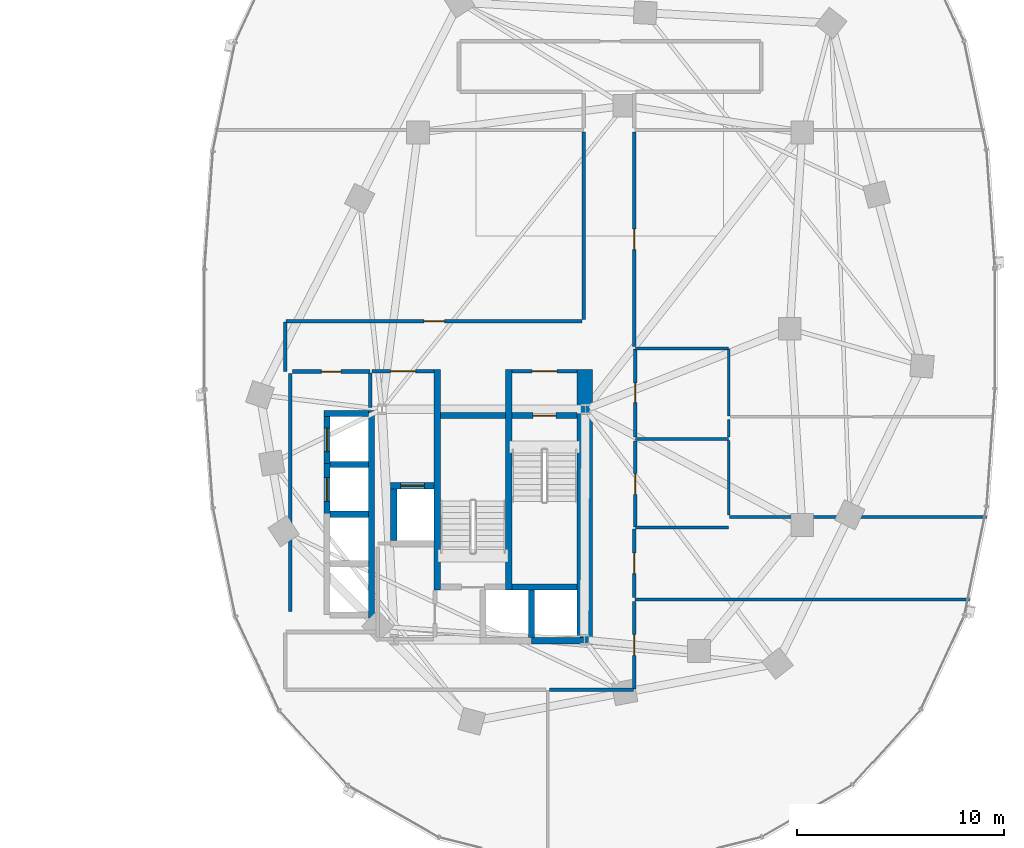
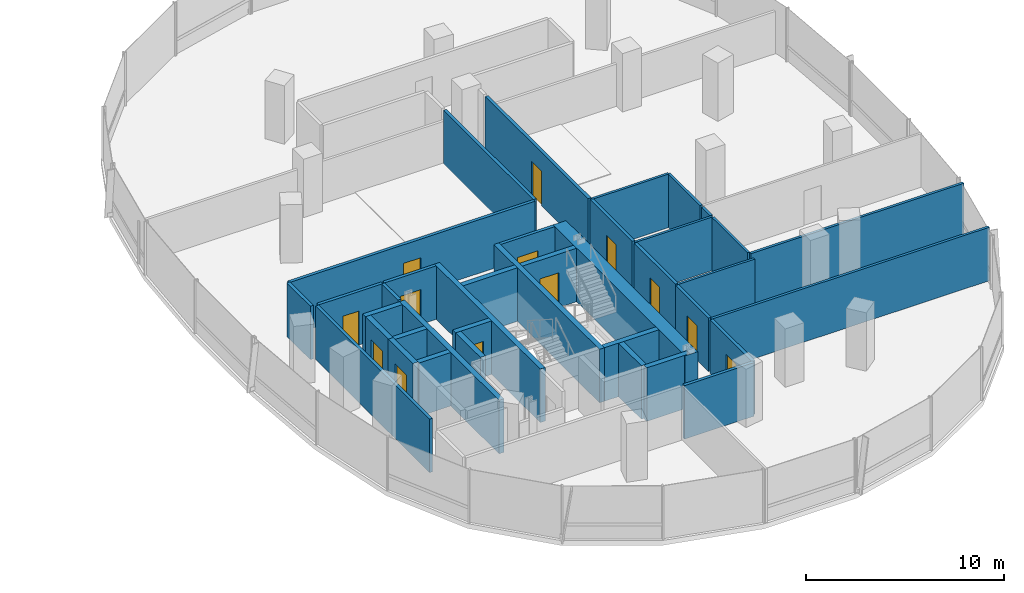
# One storey, part 13 of 21: 38 walls, 13 doors, 13 openings.
"""IFC4 building model written with IfcOpenShell, lengths in metres."""

from ifc_helpers import new_model, si_unit, direction, frame, frame_2d, origin, place, context, subcontext, project, spatial, rectangle, extrude, material, layer, layer_set, type_object, element, fill, save


model = new_model("IFC4")

# Units and contexts
model_context = context("Model", 3, precision=1e-05, world=origin(), true_north=direction((0.0, 1.0)))
body_context = subcontext(model_context, "Body", "Model", "MODEL_VIEW")
ifc_project = project(units=[si_unit("LENGTHUNIT", "METRE"), si_unit("AREAUNIT", "SQUARE_METRE"), si_unit("VOLUMEUNIT", "CUBIC_METRE"), si_unit("PLANEANGLEUNIT", "RADIAN"), si_unit("MASSUNIT", "GRAM", prefix="KILO"), si_unit("THERMODYNAMICTEMPERATUREUNIT", "KELVIN"), si_unit("POWERUNIT", "WATT")], contexts=[model_context])

# Site, building, storey
site_placement = place(None, origin())
site = spatial("IfcSite", under=ifc_project, at=site_placement, CompositionType="ELEMENT")
building_placement = place(site_placement, origin())
building = spatial("IfcBuilding", under=site, at=building_placement, Name="Cundina Bronze Exchange", CompositionType="ELEMENT")
storey_placement = place(building_placement, frame((0.0, 0.0, 92.60009765625)))
storey = spatial("IfcBuildingStorey", under=building, at=storey_placement, Name="L23", CompositionType="ELEMENT", Elevation=92.60009765625)

# Wall
ifc_material_1 = material(Name="Gypsum Fireboard Partition EI120")
ifc_layer_1 = layer(ifc_material_1, 0.179931640625, Name="Gypsum Fireboard Partition EI120")
ifc_layer_set_1 = layer_set([ifc_layer_1], Name="Gypsum Fireboard Partition EI120")
wall_type_1 = type_object("IfcWallType", Name="WL-COR-180", PredefinedType="PARTITIONING", material=ifc_layer_set_1)
wall_1_placement = place(storey_placement, frame((20.889892578125, -3.800048828125, 0.0), z_axis=(0.0, 0.0, 1.0), x_axis=(0.0, 1.0, 0.0)))
element("IfcWall", 1, at=wall_1_placement, inside=storey, type_object=wall_type_1, Name="L23 E Firefighting Lobby Side Wall", PredefinedType="PARTITIONING", context=body_context, shape_type="SweptSolid", body=[
    extrude(rectangle(XDim=1.650146484375, YDim=0.179931640625, at=frame_2d((0.8251953125, 0.0))), origin(), (0.0, 0.0, 1.0), 3.2998046875),
])

# Wall, opening, door
wall_2_placement = place(storey_placement, frame((20.97998046875, -2.06005859375, 0.0), z_axis=(0.0, 0.0, 1.0), x_axis=(1.0, 0.0, 0.0)))
wall_2 = element("IfcWall", 2, at=wall_2_placement, inside=storey, type_object=wall_type_1, Name="L23 E Firefighting Lobby Exit Wall", PredefinedType="PARTITIONING", context=body_context, shape_type="SweptSolid", body=[
    extrude(rectangle(XDim=3.0, YDim=0.179931640625, at=frame_2d((1.5, 0.0))), origin(), (0.0, 0.0, 1.0), 3.2998046875),
])
opening_1_placement = place(wall_2_placement, frame((0.89990234375, 0.0, 0.0)))
opening_1 = element("IfcOpeningElement", 3, at=opening_1_placement, cuts=wall_2, Name="Opening DF-01", PredefinedType="OPENING", context=body_context, shape_type="SweptSolid", body=[
    extrude(rectangle(XDim=1.199951171875, YDim=2.14990234375, at=frame_2d((0.60009765625, 1.074951171875))), frame((0.0, 0.099853515625, 0.0), z_axis=(0.0, -1.0, 0.0), x_axis=(1.0, 0.0, 0.0)), (0.0, 0.0, 1.0), 0.199951171875),
])
ifc_material_2 = material(Name="Steel ASTM A36 Painted", Category="steel")
door_type_1 = type_object("IfcDoorType", Name="DR-FFL-1200", OperationType="NOTDEFINED", PredefinedType="DOOR", material=ifc_material_2)
door_1_placement = place(opening_1_placement, origin())
door_1 = element("IfcDoor", 4, at=door_1_placement, inside=storey, type_object=door_type_1, Name="L23 E Firefighting Lobby Door", OperationType="SINGLE_SWING_LEFT", OverallHeight=2.14990234375, OverallWidth=1.199951171875, PredefinedType="DOOR", context=body_context, shape_type="SweptSolid", body=[
    extrude(rectangle(XDim=1.199951171875, YDim=2.14990234375, at=frame_2d((0.60009765625, 1.074951171875))), frame((0.0, 0.02490234375, 0.0), z_axis=(0.0, -1.0, 0.0), x_axis=(1.0, 0.0, 0.0)), (0.0, 0.0, 1.0), 0.050048828125),
])
fill(opening_1, door_1)

wall_3_placement = place(storey_placement, frame((27.739990234375, -2.06005859375, 0.0), z_axis=(0.0, 0.0, 1.0), x_axis=(1.0, 0.0, 0.0)))
wall_3 = element("IfcWall", 5, at=wall_3_placement, inside=storey, type_object=wall_type_1, Name="L23 E Stair Vestibule Exit Wall", PredefinedType="PARTITIONING", context=body_context, shape_type="SweptSolid", body=[
    extrude(rectangle(XDim=3.159912109375, YDim=0.179931640625, at=frame_2d((1.580078125, 0.0))), origin(), (0.0, 0.0, 1.0), 3.2998046875),
])
opening_2_placement = place(wall_3_placement, frame((0.97998046875, 0.0, 0.0)))
opening_2 = element("IfcOpeningElement", 6, at=opening_2_placement, cuts=wall_3, Name="Opening DF-01", PredefinedType="OPENING", context=body_context, shape_type="SweptSolid", body=[
    extrude(rectangle(XDim=1.199951171875, YDim=2.14990234375, at=frame_2d((0.60009765625, 1.074951171875))), frame((0.0, 0.099853515625, 0.0), z_axis=(0.0, -1.0, 0.0), x_axis=(1.0, 0.0, 0.0)), (0.0, 0.0, 1.0), 0.199951171875),
])
door_2_placement = place(opening_2_placement, origin())
door_2 = element("IfcDoor", 7, at=door_2_placement, inside=storey, type_object=door_type_1, Name="L23 E Stair Vestibule Door", OperationType="SINGLE_SWING_RIGHT", OverallHeight=2.14990234375, OverallWidth=1.199951171875, PredefinedType="DOOR", context=body_context, shape_type="SweptSolid", body=[
    extrude(rectangle(XDim=1.199951171875, YDim=2.14990234375, at=frame_2d((0.60009765625, 1.074951171875))), frame((0.0, 0.02490234375, 0.0), z_axis=(0.0, -1.0, 0.0), x_axis=(1.0, 0.0, 0.0)), (0.0, 0.0, 1.0), 0.050048828125),
])
fill(opening_2, door_2)

# Wall
wall_4_placement = place(storey_placement, frame((17.02001953125, -13.679931640625, 0.0), z_axis=(0.0, 0.0, 1.0), x_axis=(0.0, 1.0, 0.0)))
element("IfcWall", 8, at=wall_4_placement, inside=storey, type_object=wall_type_1, Name="L23 Interior Partition 038", PredefinedType="PARTITIONING", context=body_context, shape_type="SweptSolid", body=[
    extrude(rectangle(XDim=11.510009765625, YDim=0.179931640625, at=frame_2d((5.7548828125, 0.0))), origin(), (0.0, 0.0, 1.0), 3.2998046875),
])

# Wall, opening, door
wall_5_placement = place(storey_placement, frame((17.1201171875, -2.070068359375, 0.0), z_axis=(0.0, 0.0, 1.0), x_axis=(1.0, 0.0, 0.0)))
wall_5 = element("IfcWall", 9, at=wall_5_placement, inside=storey, type_object=wall_type_1, Name="L23 Interior Partition 039", PredefinedType="PARTITIONING", context=body_context, shape_type="SweptSolid", body=[
    extrude(rectangle(XDim=3.75, YDim=0.179931640625, at=frame_2d((1.875, 0.0))), origin(), (0.0, 0.0, 1.0), 3.2998046875),
])
opening_3_placement = place(wall_5_placement, frame((1.39990234375, 0.0, 0.0)))
opening_3 = element("IfcOpeningElement", 10, at=opening_3_placement, cuts=wall_5, Name="Opening DW-01", PredefinedType="OPENING", context=body_context, shape_type="SweptSolid", body=[
    extrude(rectangle(XDim=0.949951171875, YDim=2.10009765625, at=frame_2d((0.47509765625, 1.050048828125))), frame((0.0, 0.099853515625, 0.0), z_axis=(0.0, -1.0, 0.0), x_axis=(1.0, 0.0, 0.0)), (0.0, 0.0, 1.0), 0.199951171875),
])
ifc_material_3 = material(Name="Solid Andean Oak Timber Grade A", Category="wood")
door_type_2 = type_object("IfcDoorType", Name="DR-WC-950", OperationType="NOTDEFINED", PredefinedType="DOOR", material=ifc_material_3)
door_3_placement = place(opening_3_placement, origin())
door_3 = element("IfcDoor", 11, at=door_3_placement, inside=storey, type_object=door_type_2, Name="L23 Interior Door 039", OperationType="SINGLE_SWING_LEFT", OverallHeight=2.10009765625, OverallWidth=0.949951171875, PredefinedType="DOOR", context=body_context, shape_type="SweptSolid", body=[
    extrude(rectangle(XDim=0.949951171875, YDim=2.10009765625, at=frame_2d((0.47509765625, 1.050048828125))), frame((0.0, 0.02490234375, 0.0), z_axis=(0.0, -1.0, 0.0), x_axis=(1.0, 0.0, 0.0)), (0.0, 0.0, 1.0), 0.050048828125),
])
fill(opening_3, door_3)

wall_6_placement = place(storey_placement, frame((33.719970703125, -5.22998046875, 0.0), z_axis=(0.0, 0.0, 1.0), x_axis=(0.0, 1.0, 0.0)))
wall_6 = element("IfcWall", 12, at=wall_6_placement, inside=storey, type_object=wall_type_1, Name="L23 Interior Partition 050", PredefinedType="PARTITIONING", context=body_context, shape_type="SweptSolid", body=[
    extrude(rectangle(XDim=4.260009765625, YDim=0.179931640625, at=frame_2d((2.1298828125, 0.0))), origin(), (0.0, 0.0, 1.0), 3.2998046875),
])
opening_4_placement = place(wall_6_placement, frame((1.655029296875, 0.0, 0.0)))
opening_4 = element("IfcOpeningElement", 13, at=opening_4_placement, cuts=wall_6, Name="Opening DW-01", PredefinedType="OPENING", context=body_context, shape_type="SweptSolid", body=[
    extrude(rectangle(XDim=0.949951171875, YDim=2.10009765625, at=frame_2d((0.47509765625, 1.050048828125))), frame((0.0, 0.099853515625, 0.0), z_axis=(0.0, -1.0, 0.0), x_axis=(1.0, 0.0, 0.0)), (0.0, 0.0, 1.0), 0.199951171875),
])
door_4_placement = place(opening_4_placement, origin())
door_4 = element("IfcDoor", 14, at=door_4_placement, inside=storey, type_object=door_type_2, Name="L23 Interior Door 050", OperationType="SINGLE_SWING_RIGHT", OverallHeight=2.10009765625, OverallWidth=0.949951171875, PredefinedType="DOOR", context=body_context, shape_type="SweptSolid", body=[
    extrude(rectangle(XDim=0.949951171875, YDim=2.10009765625, at=frame_2d((0.47509765625, 1.050048828125))), frame((0.0, 0.02490234375, 0.0), z_axis=(0.0, -1.0, 0.0), x_axis=(1.0, 0.0, 0.0)), (0.0, 0.0, 1.0), 0.050048828125),
])
fill(opening_4, door_4)

wall_7_placement = place(storey_placement, frame((33.719970703125, -9.590087890625, 0.0), z_axis=(0.0, 0.0, 1.0), x_axis=(0.0, 1.0, 0.0)))
wall_7 = element("IfcWall", 15, at=wall_7_placement, inside=storey, type_object=wall_type_1, Name="L23 Interior Partition 051", PredefinedType="PARTITIONING", context=body_context, shape_type="SweptSolid", body=[
    extrude(rectangle(XDim=4.16015625, YDim=0.179931640625, at=frame_2d((2.080078125, 0.0))), origin(), (0.0, 0.0, 1.0), 3.2998046875),
])
opening_5_placement = place(wall_7_placement, frame((1.580078125, 0.0, 0.0)))
opening_5 = element("IfcOpeningElement", 16, at=opening_5_placement, cuts=wall_7, Name="Opening DO-01", PredefinedType="OPENING", context=body_context, shape_type="SweptSolid", body=[
    extrude(rectangle(XDim=1.0, YDim=2.14990234375, at=frame_2d((0.5, 1.074951171875))), frame((0.0, 0.099853515625, 0.0), z_axis=(0.0, -1.0, 0.0), x_axis=(1.0, 0.0, 0.0)), (0.0, 0.0, 1.0), 0.199951171875),
])
door_type_3 = type_object("IfcDoorType", Name="DR-OFF-1000", OperationType="NOTDEFINED", PredefinedType="DOOR", material=ifc_material_3)
door_5_placement = place(opening_5_placement, origin())
door_5 = element("IfcDoor", 17, at=door_5_placement, inside=storey, type_object=door_type_3, Name="L23 Interior Door 051", OperationType="SINGLE_SWING_LEFT", OverallHeight=2.14990234375, OverallWidth=1.0, PredefinedType="DOOR", context=body_context, shape_type="SweptSolid", body=[
    extrude(rectangle(XDim=1.0, YDim=2.14990234375, at=frame_2d((0.5, 1.074951171875))), frame((0.0, 0.02490234375, 0.0), z_axis=(0.0, -1.0, 0.0), x_axis=(1.0, 0.0, 0.0)), (0.0, 0.0, 1.0), 0.050048828125),
])
fill(opening_5, door_5)

wall_8_placement = place(storey_placement, frame((33.669921875, -17.428466796875, 0.0), z_axis=(0.0, 0.0, 1.0), x_axis=(0.0, 1.0, 0.0)))
wall_8 = element("IfcWall", 18, at=wall_8_placement, inside=storey, type_object=wall_type_1, Name="L23 Interior Partition 057", PredefinedType="PARTITIONING", context=body_context, shape_type="SweptSolid", body=[
    extrude(rectangle(XDim=4.238525390625, YDim=0.179931640625, at=frame_2d((2.119140625, 0.0))), origin(), (0.0, 0.0, 1.0), 3.2998046875),
])
opening_6_placement = place(wall_8_placement, frame((1.619384765625, 0.0, 0.0)))
opening_6 = element("IfcOpeningElement", 19, at=opening_6_placement, cuts=wall_8, Name="Opening DO-01", PredefinedType="OPENING", context=body_context, shape_type="SweptSolid", body=[
    extrude(rectangle(XDim=1.0, YDim=2.14990234375, at=frame_2d((0.5, 1.074951171875))), frame((0.0, 0.099853515625, 0.0), z_axis=(0.0, -1.0, 0.0), x_axis=(1.0, 0.0, 0.0)), (0.0, 0.0, 1.0), 0.199951171875),
])
door_6_placement = place(opening_6_placement, origin())
door_6 = element("IfcDoor", 20, at=door_6_placement, inside=storey, type_object=door_type_3, Name="L23 Interior Door 057", OperationType="SINGLE_SWING_LEFT", OverallHeight=2.14990234375, OverallWidth=1.0, PredefinedType="DOOR", context=body_context, shape_type="SweptSolid", body=[
    extrude(rectangle(XDim=1.0, YDim=2.14990234375, at=frame_2d((0.5, 1.074951171875))), frame((0.0, 0.02490234375, 0.0), z_axis=(0.0, -1.0, 0.0), x_axis=(1.0, 0.0, 0.0)), (0.0, 0.0, 1.0), 0.050048828125),
])
fill(opening_6, door_6)

# Wall
wall_9_placement = place(storey_placement, frame((29.570068359375, -17.469970703125, 0.0), z_axis=(0.0, 0.0, 1.0), x_axis=(1.0, 0.0, 0.0)))
element("IfcWall", 21, at=wall_9_placement, inside=storey, type_object=wall_type_1, Name="L23 Interior Partition 058", PredefinedType="PARTITIONING", context=body_context, shape_type="SweptSolid", body=[
    extrude(rectangle(XDim=4.058349609375, YDim=0.179931640625, at=frame_2d((2.029296875, 0.0))), origin(), (0.0, 0.0, 1.0), 3.2998046875),
])

# Wall, opening, door
wall_10_placement = place(storey_placement, frame((33.669921875, -13.010009765625, 0.0), z_axis=(0.0, 0.0, 1.0), x_axis=(0.0, 1.0, 0.0)))
wall_10 = element("IfcWall", 22, at=wall_10_placement, inside=storey, type_object=wall_type_1, Name="L23 Interior Partition 059", PredefinedType="PARTITIONING", context=body_context, shape_type="SweptSolid", body=[
    extrude(rectangle(XDim=3.30859375, YDim=0.179931640625, at=frame_2d((1.654296875, 0.0))), origin(), (0.0, 0.0, 1.0), 3.2998046875),
])
opening_7_placement = place(wall_10_placement, frame((1.154296875, 0.0, 0.0)))
opening_7 = element("IfcOpeningElement", 23, at=opening_7_placement, cuts=wall_10, Name="Opening DO-01", PredefinedType="OPENING", context=body_context, shape_type="SweptSolid", body=[
    extrude(rectangle(XDim=1.0, YDim=2.14990234375, at=frame_2d((0.5, 1.074951171875))), frame((0.0, 0.099853515625, 0.0), z_axis=(0.0, -1.0, 0.0), x_axis=(1.0, 0.0, 0.0)), (0.0, 0.0, 1.0), 0.199951171875),
])
door_7_placement = place(opening_7_placement, origin())
door_7 = element("IfcDoor", 24, at=door_7_placement, inside=storey, type_object=door_type_3, Name="L23 Interior Door 059", OperationType="SINGLE_SWING_RIGHT", OverallHeight=2.14990234375, OverallWidth=1.0, PredefinedType="DOOR", context=body_context, shape_type="SweptSolid", body=[
    extrude(rectangle(XDim=1.0, YDim=2.14990234375, at=frame_2d((0.5, 1.074951171875))), frame((0.0, 0.02490234375, 0.0), z_axis=(0.0, -1.0, 0.0), x_axis=(1.0, 0.0, 0.0)), (0.0, 0.0, 1.0), 0.050048828125),
])
fill(opening_7, door_7)

wall_11_placement = place(storey_placement, frame((31.14990234375, 0.3701171875, 0.0), z_axis=(0.0, 0.0, 1.0), x_axis=(-1.0, 0.0, 0.0)))
wall_11 = element("IfcWall", 25, at=wall_11_placement, inside=storey, type_object=wall_type_1, Name="L23 Interior Partition 060", PredefinedType="PARTITIONING", context=body_context, shape_type="SweptSolid", body=[
    extrude(rectangle(XDim=14.328369140625, YDim=0.179931640625, at=frame_2d((7.1640625, 0.0))), origin(), (0.0, 0.0, 1.0), 3.2998046875),
])
opening_8_placement = place(wall_11_placement, frame((6.664306640625, 0.0, 0.0)))
opening_8 = element("IfcOpeningElement", 26, at=opening_8_placement, cuts=wall_11, Name="Opening DO-01", PredefinedType="OPENING", context=body_context, shape_type="SweptSolid", body=[
    extrude(rectangle(XDim=1.0, YDim=2.14990234375, at=frame_2d((0.5, 1.074951171875))), frame((0.0, 0.099853515625, 0.0), z_axis=(0.0, -1.0, 0.0), x_axis=(1.0, 0.0, 0.0)), (0.0, 0.0, 1.0), 0.199951171875),
])
door_8_placement = place(opening_8_placement, origin())
door_8 = element("IfcDoor", 27, at=door_8_placement, inside=storey, type_object=door_type_3, Name="L23 Interior Door 060", OperationType="SINGLE_SWING_LEFT", OverallHeight=2.14990234375, OverallWidth=1.0, PredefinedType="DOOR", context=body_context, shape_type="SweptSolid", body=[
    extrude(rectangle(XDim=1.0, YDim=2.14990234375, at=frame_2d((0.5, 1.074951171875))), frame((0.0, 0.02490234375, 0.0), z_axis=(0.0, -1.0, 0.0), x_axis=(1.0, 0.0, 0.0)), (0.0, 0.0, 1.0), 0.050048828125),
])
fill(opening_8, door_8)

# Walls
wall_12_placement = place(storey_placement, frame((31.22998046875, 9.530029296875, 0.0), z_axis=(0.0, 0.0, 1.0), x_axis=(0.0, -1.0, 0.0)))
element("IfcWall", 28, at=wall_12_placement, inside=storey, type_object=wall_type_1, Name="L23 Interior Partition 062", PredefinedType="PARTITIONING", context=body_context, shape_type="SweptSolid", body=[
    extrude(rectangle(XDim=9.080078125, YDim=0.179931640625, at=frame_2d((4.5400390625, 0.0))), origin(), (0.0, 0.0, 1.0), 3.2998046875),
])
wall_13_placement = place(storey_placement, frame((16.780029296875, 0.32861328125, 0.0), z_axis=(0.0, 0.0, 1.0), x_axis=(0.0, -1.0, 0.0)))
element("IfcWall", 29, at=wall_13_placement, inside=storey, type_object=wall_type_1, Name="L23 Interior Partition 065", PredefinedType="PARTITIONING", context=body_context, shape_type="SweptSolid", body=[
    extrude(rectangle(XDim=2.38720703125, YDim=0.179931640625, at=frame_2d((1.193603515625, 0.0))), origin(), (0.0, 0.0, 1.0), 3.2998046875),
])

# Wall, opening, door
wall_14_placement = place(storey_placement, frame((33.669921875, -0.858642578125, 0.0), z_axis=(0.0, 0.0, 1.0), x_axis=(0.0, 1.0, 0.0)))
wall_14 = element("IfcWall", 30, at=wall_14_placement, inside=storey, type_object=wall_type_1, Name="L23 Interior Partition 066", PredefinedType="PARTITIONING", context=body_context, shape_type="SweptSolid", body=[
    extrude(rectangle(XDim=10.388671875, YDim=0.179931640625, at=frame_2d((5.1943359375, 0.0))), origin(), (0.0, 0.0, 1.0), 3.2998046875),
])
opening_9_placement = place(wall_14_placement, frame((4.6943359375, 0.0, 0.0)))
opening_9 = element("IfcOpeningElement", 31, at=opening_9_placement, cuts=wall_14, Name="Opening DO-01", PredefinedType="OPENING", context=body_context, shape_type="SweptSolid", body=[
    extrude(rectangle(XDim=1.0, YDim=2.14990234375, at=frame_2d((0.5, 1.074951171875))), frame((0.0, 0.099853515625, 0.0), z_axis=(0.0, -1.0, 0.0), x_axis=(1.0, 0.0, 0.0)), (0.0, 0.0, 1.0), 0.199951171875),
])
door_9_placement = place(opening_9_placement, origin())
door_9 = element("IfcDoor", 32, at=door_9_placement, inside=storey, type_object=door_type_3, Name="L23 Interior Door 066", OperationType="SINGLE_SWING_LEFT", OverallHeight=2.14990234375, OverallWidth=1.0, PredefinedType="DOOR", context=body_context, shape_type="SweptSolid", body=[
    extrude(rectangle(XDim=1.0, YDim=2.14990234375, at=frame_2d((0.5, 1.074951171875))), frame((0.0, 0.02490234375, 0.0), z_axis=(0.0, -1.0, 0.0), x_axis=(1.0, 0.0, 0.0)), (0.0, 0.0, 1.0), 0.050048828125),
])
fill(opening_9, door_9)

# Walls
ifc_material_4 = material(Name="Concrete C60/75", Category="concrete")
ifc_layer_2 = layer(ifc_material_4, 0.75, Name="Concrete C60/75", Category="concrete")
ifc_layer_set_2 = layer_set([ifc_layer_2], Name="Concrete C60/75")
wall_type_2 = type_object("IfcWallType", Name="WL-CORE-750", PredefinedType="SHEAR", material=ifc_layer_set_2)
wall_15_placement = place(storey_placement, frame((31.27490234375, -15.300048828125, 0.0), z_axis=(0.0, 0.0, 1.0), x_axis=(0.0, 1.0, 0.0)))
element("IfcWall", 33, at=wall_15_placement, inside=storey, type_object=wall_type_2, Name="L23 E Primary Core Shear Spine Wall", PredefinedType="SHEAR", context=body_context, shape_type="SweptSolid", body=[
    extrude(rectangle(XDim=13.330078125, YDim=0.75, at=frame_2d((6.6650390625, 0.0))), origin(), (0.0, 0.0, 1.0), 3.2998046875),
])
ifc_material_5 = material(Name="Concrete C50/60", Category="concrete")
ifc_layer_3 = layer(ifc_material_5, 0.300048828125, Name="Concrete C50/60", Category="concrete")
ifc_layer_set_3 = layer_set([ifc_layer_3], Name="Concrete C50/60")
wall_type_3 = type_object("IfcWallType", Name="WL-SHFT-300", PredefinedType="SHEAR", material=ifc_layer_set_3)
for number, where, z_axis, x_axis, name in (
    (34, (27.590087890625, -12.64990234375, 0.0), (0.0, 0.0, 1.0), (0.0, 1.0, 0.0), "L23 E Stair Shaft Dividing Shear Wall"),
    (35, (24.1298828125, -12.64990234375, 0.0), (0.0, 0.0, 1.0), (0.0, 1.0, 0.0), "L23 E Stair 2 East Shear Wall"),
):
    element("IfcWall", number, at=place(storey_placement, frame(where, z_axis=z_axis, x_axis=x_axis)), inside=storey, type_object=wall_type_3, Name=name, PredefinedType="SHEAR", context=body_context, shape_type="SweptSolid", body=[
        extrude(rectangle(XDim=10.679931640625, YDim=0.300048828125, at=frame_2d((5.33984375, 0.0))), origin(), (0.0, 0.0, 1.0), 3.2998046875),
    ])

# Wall, opening, door
wall_16_placement = place(storey_placement, frame((27.739990234375, -4.199951171875, 0.0), z_axis=(0.0, 0.0, 1.0), x_axis=(1.0, 0.0, 0.0)))
wall_16 = element("IfcWall", 36, at=wall_16_placement, inside=storey, type_object=wall_type_3, Name="L23 Stair E1 Landing Wall", PredefinedType="SHEAR", context=body_context, shape_type="SweptSolid", body=[
    extrude(rectangle(XDim=3.159912109375, YDim=0.300048828125, at=frame_2d((1.580078125, 0.0))), origin(), (0.0, 0.0, 1.0), 3.2998046875),
])
opening_10_placement = place(wall_16_placement, frame((1.030029296875, 0.0, 0.0)))
opening_10 = element("IfcOpeningElement", 37, at=opening_10_placement, cuts=wall_16, Name="Opening DS-01", PredefinedType="OPENING", context=body_context, shape_type="SweptSolid", body=[
    extrude(rectangle(XDim=1.10009765625, YDim=2.14990234375, at=frame_2d((0.550048828125, 1.074951171875))), frame((0.0, 0.159912109375, 0.0), z_axis=(0.0, -1.0, 0.0), x_axis=(1.0, 0.0, 0.0)), (0.0, 0.0, 1.0), 0.320068359375),
])
door_type_4 = type_object("IfcDoorType", Name="DR-STR-1100", OperationType="NOTDEFINED", PredefinedType="DOOR", material=ifc_material_2)
door_10_placement = place(opening_10_placement, origin())
door_10 = element("IfcDoor", 38, at=door_10_placement, inside=storey, type_object=door_type_4, Name="L23 Smokeproof Stair E1 Door", OperationType="SINGLE_SWING_LEFT", OverallHeight=2.14990234375, OverallWidth=1.10009765625, PredefinedType="DOOR", context=body_context, shape_type="SweptSolid", body=[
    extrude(rectangle(XDim=1.10009765625, YDim=2.14990234375, at=frame_2d((0.550048828125, 1.074951171875))), frame((0.0, 0.02490234375, 0.0), z_axis=(0.0, -1.0, 0.0), x_axis=(1.0, 0.0, 0.0)), (0.0, 0.0, 1.0), 0.050048828125),
])
fill(opening_10, door_10)

# Walls
for number, where, z_axis, x_axis, name in (
    (39, (27.739990234375, -12.5, 0.0), (0.0, 0.0, 1.0), (1.0, 0.0, 0.0), "L23 Stair E1 Far Shaft Wall"),
    (40, (24.280029296875, -4.199951171875, 0.0), (0.0, 0.0, 1.0), (1.0, 0.0, 0.0), "L23 Stair E2 Far Shaft Wall"),
):
    element("IfcWall", number, at=place(storey_placement, frame(where, z_axis=z_axis, x_axis=x_axis)), inside=storey, type_object=wall_type_3, Name=name, PredefinedType="SHEAR", context=body_context, shape_type="SweptSolid", body=[
        extrude(rectangle(XDim=3.159912109375, YDim=0.300048828125, at=frame_2d((1.580078125, 0.0))), origin(), (0.0, 0.0, 1.0), 3.2998046875),
    ])

# Wall, opening, door
wall_17_placement = place(storey_placement, frame((21.8798828125, -7.60009765625, 0.0), z_axis=(0.0, 0.0, 1.0), x_axis=(1.0, 0.0, 0.0)))
wall_17 = element("IfcWall", 41, at=wall_17_placement, inside=storey, type_object=wall_type_3, Name="L23 FFL-E Hoistway Front Wall", PredefinedType="SHEAR", context=body_context, shape_type="SweptSolid", body=[
    extrude(rectangle(XDim=2.10009765625, YDim=0.300048828125, at=frame_2d((1.050048828125, 0.0))), origin(), (0.0, 0.0, 1.0), 3.2998046875),
])
opening_11_placement = place(wall_17_placement, frame((0.47509765625, 0.0, 0.0)))
opening_11 = element("IfcOpeningElement", 42, at=opening_11_placement, cuts=wall_17, Name="Opening LD-01", PredefinedType="OPENING", context=body_context, shape_type="SweptSolid", body=[
    extrude(rectangle(XDim=1.14990234375, YDim=2.199951171875, at=frame_2d((0.574951171875, 1.10009765625))), frame((0.0, 0.159912109375, 0.0), z_axis=(0.0, -1.0, 0.0), x_axis=(1.0, 0.0, 0.0)), (0.0, 0.0, 1.0), 0.320068359375),
])
door_type_5 = type_object("IfcDoorType", Name="DR-LND-1150", OperationType="NOTDEFINED", PredefinedType="TRAPDOOR", material=ifc_material_2)
door_11_placement = place(opening_11_placement, origin())
door_11 = element("IfcDoor", 43, at=door_11_placement, inside=storey, type_object=door_type_5, Name="L23 FFL-E Sliding Landing Door", OperationType="SLIDING_TO_LEFT", OverallHeight=2.199951171875, OverallWidth=1.14990234375, PredefinedType="TRAPDOOR", context=body_context, shape_type="SweptSolid", body=[
    extrude(rectangle(XDim=1.14990234375, YDim=2.199951171875, at=frame_2d((0.574951171875, 1.10009765625))), frame((0.0, 0.02490234375, 0.0), z_axis=(0.0, -1.0, 0.0), x_axis=(1.0, 0.0, 0.0)), (0.0, 0.0, 1.0), 0.050048828125),
])
fill(opening_11, door_11)

# Walls
for number, where, z_axis, x_axis, name in (
    (44, (22.030029296875, -10.25, 0.0), (0.0, 0.0, 1.0), (0.0, 1.0, 0.0), "L23 FFL-E Hoistway Side Wall"),
    (45, (28.699951171875, -15.10009765625, 0.0), (0.0, 0.0, 1.0), (1.0, 0.0, 0.0), "L23 PH-E1 Hoistway Front Wall"),
):
    element("IfcWall", number, at=place(storey_placement, frame(where, z_axis=z_axis, x_axis=x_axis)), inside=storey, type_object=wall_type_3, Name=name, PredefinedType="SHEAR", context=body_context, shape_type="SweptSolid", body=[
        extrude(rectangle(XDim=2.5, YDim=0.300048828125, at=frame_2d((1.25, 0.0))), origin(), (0.0, 0.0, 1.0), 3.2998046875),
    ])
wall_18_placement = place(storey_placement, frame((28.699951171875, -14.949951171875, 0.0), z_axis=(0.0, 0.0, 1.0), x_axis=(0.0, 1.0, 0.0)))
element("IfcWall", 46, at=wall_18_placement, inside=storey, type_object=wall_type_3, Name="L23 PH-E1 Hoistway Divider Wall", PredefinedType="SHEAR", context=body_context, shape_type="SweptSolid", body=[
    extrude(rectangle(XDim=2.300048828125, YDim=0.300048828125, at=frame_2d((1.14990234375, 0.0))), origin(), (0.0, 0.0, 1.0), 3.2998046875),
])
wall_19_placement = place(storey_placement, frame((20.949951171875, -14.0, 0.0), z_axis=(0.0, 0.0, 1.0), x_axis=(0.0, 1.0, 0.0)))
element("IfcWall", 47, at=wall_19_placement, inside=storey, type_object=wall_type_3, Name="L23 E Passenger Bank Hoistway Back Wall", PredefinedType="SHEAR", context=body_context, shape_type="SweptSolid", body=[
    extrude(rectangle(XDim=10.050048828125, YDim=0.300048828125, at=frame_2d((5.02490234375, 0.0))), origin(), (0.0, 0.0, 1.0), 3.2998046875),
])
wall_20_placement = place(storey_placement, frame((18.64990234375, -4.10009765625, 0.0), z_axis=(0.0, 0.0, 1.0), x_axis=(1.0, 0.0, 0.0)))
element("IfcWall", 48, at=wall_20_placement, inside=storey, type_object=wall_type_3, Name="L23 E Passenger Bank North Cap Wall", PredefinedType="SHEAR", context=body_context, shape_type="SweptSolid", body=[
    extrude(rectangle(XDim=2.150146484375, YDim=0.300048828125, at=frame_2d((1.0751953125, 0.0))), origin(), (0.0, 0.0, 1.0), 3.2998046875),
])
for number, where, z_axis, x_axis, name in (
    (49, (18.949951171875, -8.97509765625, 0.0), (0.0, 0.0, 1.0), (1.0, 0.0, 0.0), "L23 E Passenger Hoistway Divider 2"),
    (50, (18.949951171875, -6.574951171875, 0.0), (0.0, 0.0, 1.0), (1.0, 0.0, 0.0), "L23 E Passenger Hoistway Divider 3"),
):
    element("IfcWall", number, at=place(storey_placement, frame(where, z_axis=z_axis, x_axis=x_axis)), inside=storey, type_object=wall_type_3, Name=name, PredefinedType="SHEAR", context=body_context, shape_type="SweptSolid", body=[
        extrude(rectangle(XDim=1.85009765625, YDim=0.300048828125, at=frame_2d((0.925048828125, 0.0))), origin(), (0.0, 0.0, 1.0), 3.2998046875),
    ])

# Wall, opening, door
wall_21_placement = place(storey_placement, frame((18.800048828125, -9.02001953125, 0.0), z_axis=(0.0, 0.0, 1.0), x_axis=(0.0, 1.0, 0.0)))
wall_21 = element("IfcWall", 51, at=wall_21_placement, inside=storey, type_object=wall_type_3, Name="L23 PL-E1 Hoistway Front Wall", PredefinedType="SHEAR", context=body_context, shape_type="SweptSolid", body=[
    extrude(rectangle(XDim=2.489990234375, YDim=0.300048828125, at=frame_2d((1.2451171875, 0.0))), origin(), (0.0, 0.0, 1.0), 3.2998046875),
])
opening_12_placement = place(wall_21_placement, frame((0.669921875, 0.0, 0.0)))
opening_12 = element("IfcOpeningElement", 52, at=opening_12_placement, cuts=wall_21, Name="Opening LD-01", PredefinedType="OPENING", context=body_context, shape_type="SweptSolid", body=[
    extrude(rectangle(XDim=1.14990234375, YDim=2.199951171875, at=frame_2d((0.574951171875, 1.10009765625))), frame((0.0, 0.159912109375, 0.0), z_axis=(0.0, -1.0, 0.0), x_axis=(1.0, 0.0, 0.0)), (0.0, 0.0, 1.0), 0.320068359375),
])
door_12_placement = place(opening_12_placement, origin())
door_12 = element("IfcDoor", 53, at=door_12_placement, inside=storey, type_object=door_type_5, Name="L23 PL-E1 Sliding Landing Door", OperationType="SLIDING_TO_LEFT", OverallHeight=2.199951171875, OverallWidth=1.14990234375, PredefinedType="TRAPDOOR", context=body_context, shape_type="SweptSolid", body=[
    extrude(rectangle(XDim=1.14990234375, YDim=2.199951171875, at=frame_2d((0.574951171875, 1.10009765625))), frame((0.0, 0.02490234375, 0.0), z_axis=(0.0, -1.0, 0.0), x_axis=(1.0, 0.0, 0.0)), (0.0, 0.0, 1.0), 0.050048828125),
])
fill(opening_12, door_12)

wall_22_placement = place(storey_placement, frame((18.800048828125, -6.6201171875, 0.0), z_axis=(0.0, 0.0, 1.0), x_axis=(0.0, 1.0, 0.0)))
wall_22 = element("IfcWall", 54, at=wall_22_placement, inside=storey, type_object=wall_type_3, Name="L23 PL-E2 Hoistway Front Wall", PredefinedType="SHEAR", context=body_context, shape_type="SweptSolid", body=[
    extrude(rectangle(XDim=2.490234375, YDim=0.300048828125, at=frame_2d((1.2451171875, 0.0))), origin(), (0.0, 0.0, 1.0), 3.2998046875),
])
opening_13_placement = place(wall_22_placement, frame((0.669921875, 0.0, 0.0)))
opening_13 = element("IfcOpeningElement", 55, at=opening_13_placement, cuts=wall_22, Name="Opening LD-01", PredefinedType="OPENING", context=body_context, shape_type="SweptSolid", body=[
    extrude(rectangle(XDim=1.14990234375, YDim=2.199951171875, at=frame_2d((0.574951171875, 1.10009765625))), frame((0.0, 0.159912109375, 0.0), z_axis=(0.0, -1.0, 0.0), x_axis=(1.0, 0.0, 0.0)), (0.0, 0.0, 1.0), 0.320068359375),
])
door_13_placement = place(opening_13_placement, origin())
door_13 = element("IfcDoor", 56, at=door_13_placement, inside=storey, type_object=door_type_5, Name="L23 PL-E2 Sliding Landing Door", OperationType="SLIDING_TO_LEFT", OverallHeight=2.199951171875, OverallWidth=1.14990234375, PredefinedType="TRAPDOOR", context=body_context, shape_type="SweptSolid", body=[
    extrude(rectangle(XDim=1.14990234375, YDim=2.199951171875, at=frame_2d((0.574951171875, 1.10009765625))), frame((0.0, 0.02490234375, 0.0), z_axis=(0.0, -1.0, 0.0), x_axis=(1.0, 0.0, 0.0)), (0.0, 0.0, 1.0), 0.050048828125),
])
fill(opening_13, door_13)

# Walls
ifc_material_6 = material(Name="Gypsum Acoustic Partition EI60")
ifc_layer_4 = layer(ifc_material_6, 0.14990234375, Name="Gypsum Acoustic Partition EI60")
ifc_layer_set_4 = layer_set([ifc_layer_4], Name="Gypsum Acoustic Partition EI60")
wall_type_4 = type_object("IfcWallType", Name="WL-TEN-150", PredefinedType="PARTITIONING", material=ifc_layer_set_4)
wall_23_placement = place(storey_placement, frame((38.27001953125, -9.10009765625, 0.0), z_axis=(0.0, 0.0, 1.0), x_axis=(1.0, 0.0, 0.0)))
element("IfcWall", 57, at=wall_23_placement, inside=storey, type_object=wall_type_4, Name="L23 Interior Partition 054", PredefinedType="PARTITIONING", context=body_context, shape_type="SweptSolid", body=[
    extrude(rectangle(XDim=12.4423828125, YDim=0.14990234375, at=frame_2d((6.22119140625, 0.0))), origin(), (0.0, 0.0, 1.0), 3.2998046875),
])
wall_24_placement = place(storey_placement, frame((33.699951171875, -13.10009765625, 0.0), z_axis=(0.0, 0.0, 1.0), x_axis=(1.0, 0.0, 0.0)))
element("IfcWall", 58, at=wall_24_placement, inside=storey, type_object=wall_type_4, Name="L23 Interior Partition 055", PredefinedType="PARTITIONING", context=body_context, shape_type="SweptSolid", body=[
    extrude(rectangle(XDim=16.18994140625, YDim=0.14990234375, at=frame_2d((8.094970703125, 0.0))), origin(), (0.0, 0.0, 1.0), 3.2998046875),
])
ifc_material_7 = material(Name="Moisture-Resistant Masonry Block Grade M15", Category="masonry")
ifc_layer_5 = layer(ifc_material_7, 0.139892578125, Name="Moisture-Resistant Masonry Block Grade M15", Category="masonry")
ifc_layer_set_5 = layer_set([ifc_layer_5], Name="Moisture-Resistant Masonry Block Grade M15")
wall_type_5 = type_object("IfcWallType", Name="WL-WET-140", PredefinedType="PARTITIONING", material=ifc_layer_set_5)
wall_25_placement = place(storey_placement, frame((38.239990234375, -9.014892578125, 0.0), z_axis=(0.0, 0.0, 1.0), x_axis=(0.0, 1.0, 0.0)))
element("IfcWall", 59, at=wall_25_placement, inside=storey, type_object=wall_type_5, Name="L23 Interior Partition 044", PredefinedType="PARTITIONING", context=body_context, shape_type="SweptSolid", body=[
    extrude(rectangle(XDim=3.599853515625, YDim=0.139892578125, at=frame_2d((1.7998046875, 0.0))), origin(), (0.0, 0.0, 1.0), 3.2998046875),
])
wall_26_placement = place(storey_placement, frame((38.239990234375, -5.2451171875, 0.0), z_axis=(0.0, 0.0, 1.0), x_axis=(0.0, 1.0, 0.0)))
element("IfcWall", 60, at=wall_26_placement, inside=storey, type_object=wall_type_5, Name="L23 Interior Partition 045", PredefinedType="PARTITIONING", context=body_context, shape_type="SweptSolid", body=[
    extrude(rectangle(XDim=0.860107421875, YDim=0.139892578125, at=frame_2d((0.43017578125, 0.0))), origin(), (0.0, 0.0, 1.0), 3.2998046875),
])
wall_27_placement = place(storey_placement, frame((38.239990234375, -4.215087890625, 0.0), z_axis=(0.0, 0.0, 1.0), x_axis=(0.0, 1.0, 0.0)))
element("IfcWall", 61, at=wall_27_placement, inside=storey, type_object=wall_type_5, Name="L23 Interior Partition 046", PredefinedType="PARTITIONING", context=body_context, shape_type="SweptSolid", body=[
    extrude(rectangle(XDim=3.2451171875, YDim=0.139892578125, at=frame_2d((1.62255859375, 0.0))), origin(), (0.0, 0.0, 1.0), 3.2998046875),
])
for number, where, z_axis, x_axis, name in (
    (62, (33.739990234375, -0.949951171875, 0.0), (0.0, 0.0, 1.0), (1.0, 0.0, 0.0), "L23 Interior Partition 047"),
    (63, (33.739990234375, -5.330078125, 0.0), (0.0, 0.0, 1.0), (1.0, 0.0, 0.0), "L23 Interior Partition 048"),
    (64, (33.739990234375, -9.610107421875, 0.0), (0.0, 0.0, 1.0), (1.0, 0.0, 0.0), "L23 Interior Partition 049"),
):
    element("IfcWall", number, at=place(storey_placement, frame(where, z_axis=z_axis, x_axis=x_axis)), inside=storey, type_object=wall_type_5, Name=name, PredefinedType="PARTITIONING", context=body_context, shape_type="SweptSolid", body=[
        extrude(rectangle(XDim=4.47998046875, YDim=0.139892578125, at=frame_2d((2.239990234375, 0.0))), origin(), (0.0, 0.0, 1.0), 3.2998046875),
    ])

save(model, "model.ifc")
